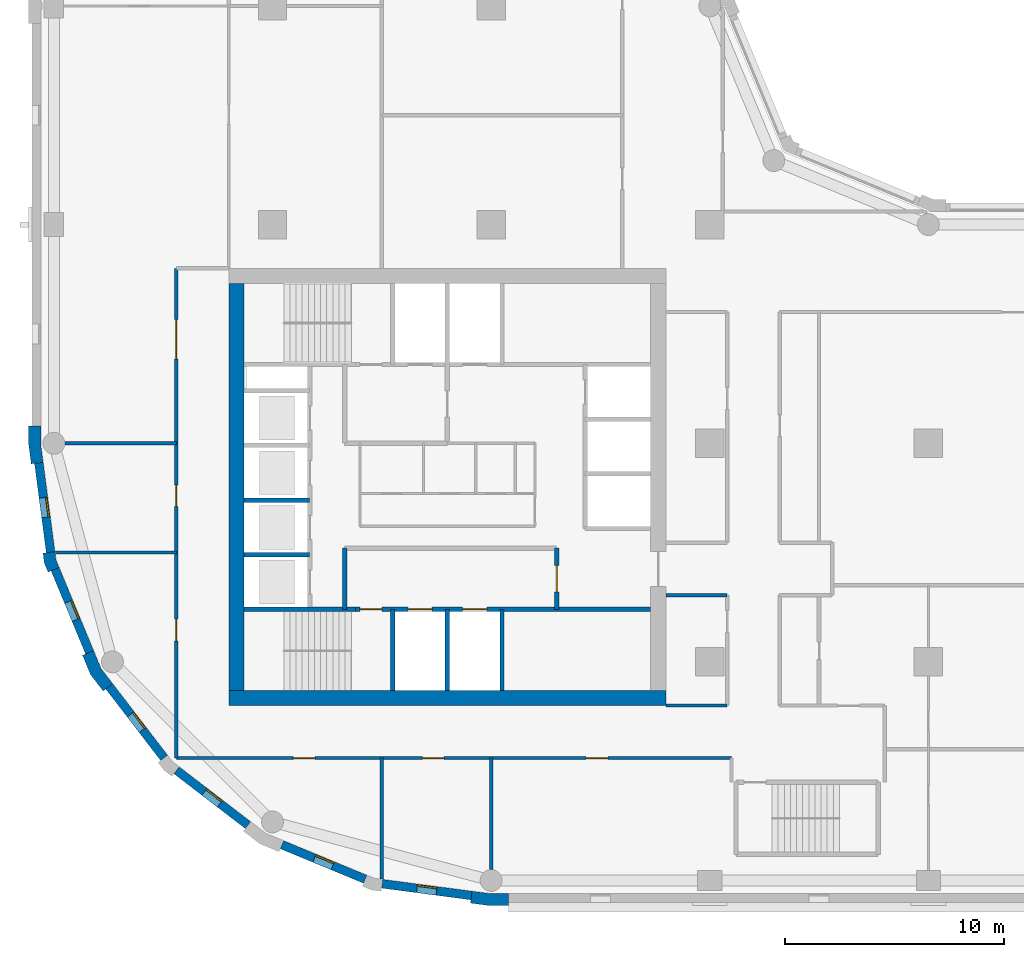
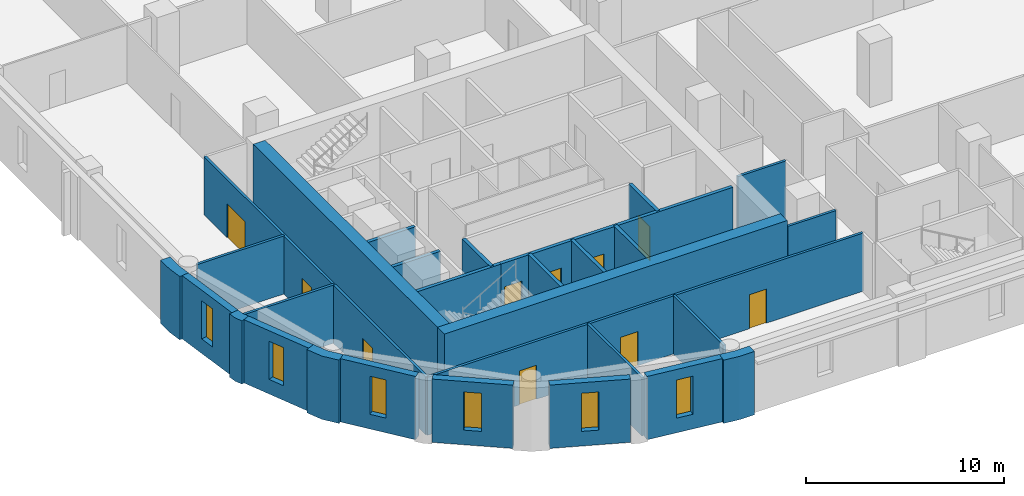
# One storey, part 2 of 10: 29 walls, 10 doors, 6 windows, 16 openings.
"""IFC4 building model written with IfcOpenShell, lengths in metres."""

import ifcopenshell
import ifcopenshell.guid

model = None  # the IFC model being written
_history = None  # IfcOwnerHistory: only IFC2X3 demands one
_inside = {}  # id of a spatial element -> (the spatial element, [elements in it])
_under = {}  # id of a project, library or spatial element -> (it, [spatial elements below it])
_declared = {}  # id of a project -> (the project, [libraries it declares])
_typed = {}  # id of a type object -> (the type object, [elements of that type])
_made_of = {}  # id of a material, layer set ... -> (it, [elements and type objects made of it])


def new_model(schema):
    """Start an empty IFC model of exactly this schema.

    Asked for "IFC4X3", IfcOpenShell would pick the latest addendum, in which some entities
    have other attributes; the version numbers below select the first issue.
    IFC2X3 requires an IfcOwnerHistory on every rooted entity: one is made here for all.
    """
    global model, _history
    if schema == "IFC4X3":
        model = ifcopenshell.file(schema_version=(4, 3, 0, 0))
    else:
        model = ifcopenshell.file(schema=schema)
    _inside.clear()
    _under.clear()
    _declared.clear()
    _typed.clear()
    _made_of.clear()
    _history = None
    if model.schema == "IFC2X3":
        org = make("IfcOrganization", Name="unknown")
        user = make(
            "IfcPersonAndOrganization",
            ThePerson=make("IfcPerson", FamilyName="unknown"),
            TheOrganization=org,
        )
        app = make(
            "IfcApplication",
            ApplicationDeveloper=org,
            Version="unknown",
            ApplicationFullName="unknown",
            ApplicationIdentifier="unknown",
        )
        _history = make(
            "IfcOwnerHistory",
            OwningUser=user,
            OwningApplication=app,
            ChangeAction="ADDED",
            CreationDate=0,
        )
    return model


def make(cls, **values):
    """One entity of the class cls with the attributes given. An attribute that is None is left unset."""
    return model.create_entity(
        cls, **{name: value for name, value in values.items() if value is not None}
    )


def rooted(cls, **values):
    """An entity with a GlobalId (a new one), such as an element, a storey or a relation."""
    return make(cls, GlobalId=ifcopenshell.guid.new(), OwnerHistory=_history, **values)


def si_unit(unit_type, name, prefix=None):
    """IfcSIUnit, for example si_unit("LENGTHUNIT", "METRE", prefix="MILLI")."""
    return make("IfcSIUnit", UnitType=unit_type, Prefix=prefix, Name=name)


def assignment(units):
    """IfcUnitAssignment: the units of a project."""
    return None if units is None else make("IfcUnitAssignment", Units=units)


def point(xyz):
    """IfcCartesianPoint."""
    return None if xyz is None else make("IfcCartesianPoint", Coordinates=xyz)


def direction(xyz):
    """IfcDirection."""
    return None if xyz is None else make("IfcDirection", DirectionRatios=xyz)


def frame(location, z_axis=None, x_axis=None):
    """IfcAxis2Placement3D, a coordinate frame: its origin and axes. An axis left out is left unset."""
    return make(
        "IfcAxis2Placement3D",
        Location=point(location),
        Axis=direction(z_axis),
        RefDirection=direction(x_axis),
    )


def frame_2d(location, x_axis=None):
    """IfcAxis2Placement2D, a coordinate frame in the plane: its origin and x axis."""
    return make(
        "IfcAxis2Placement2D", Location=point(location), RefDirection=direction(x_axis)
    )


def origin():
    """The frame at (0, 0, 0) with its axes left unset."""
    return frame((0.0, 0.0, 0.0))


def place(relative_to, where):
    """IfcLocalPlacement: puts the frame where relative to a parent placement (None: the world)."""
    return make(
        "IfcLocalPlacement", PlacementRelTo=relative_to, RelativePlacement=where
    )


def context(
    kind, dimensions, precision=None, world=None, true_north=None, identifier=None
):
    """IfcGeometricRepresentationContext, for example the 3D "Model" context."""
    return make(
        "IfcGeometricRepresentationContext",
        ContextIdentifier=identifier,
        ContextType=kind,
        CoordinateSpaceDimension=dimensions,
        Precision=precision,
        WorldCoordinateSystem=world,
        TrueNorth=true_north,
    )


def subcontext(parent, identifier, kind, view, scale=None):
    """IfcGeometricRepresentationSubContext, for example "Body" below "Model"."""
    return make(
        "IfcGeometricRepresentationSubContext",
        ContextIdentifier=identifier,
        ContextType=kind,
        ParentContext=parent,
        TargetScale=scale,
        TargetView=view,
    )


def project(units=None, contexts=None):
    """IfcProject with its units and contexts."""
    return rooted(
        "IfcProject",
        Name="project",
        RepresentationContexts=contexts,
        UnitsInContext=assignment(units),
    )


def spatial(cls, under=None, at=None, **own):
    """A site, building, storey or space (cls), placed at a placement, below another one or the project."""
    s = rooted(cls, ObjectPlacement=at, **own)
    if under is not None:
        _under.setdefault(under.id(), (under, []))[1].append(s)
    return s


def polyline(points):
    """IfcPolyline through the points."""
    return make("IfcPolyline", Points=[point(p) for p in points])


def profile(cls, at=None, kind="AREA", **sizes):
    """A parametric profile (cls). Its sizes go by their IFC names, for example OverallWidth=200.0."""
    return make(cls, ProfileType=kind, Position=at, **sizes)


def rectangle(**sizes):
    """IfcRectangleProfileDef."""
    return profile("IfcRectangleProfileDef", **sizes)


def outline(outer, holes=None, kind="AREA"):
    """IfcArbitraryClosedProfileDef: a profile drawn as a closed curve; with holes, ...WithVoids."""
    if holes is None:
        return make("IfcArbitraryClosedProfileDef", ProfileType=kind, OuterCurve=outer)
    return make(
        "IfcArbitraryProfileDefWithVoids",
        ProfileType=kind,
        OuterCurve=outer,
        InnerCurves=holes,
    )


def extrude(swept, where, along, depth):
    """IfcExtrudedAreaSolid: the profile swept, set in the frame where, extruded along a direction by depth."""
    return make(
        "IfcExtrudedAreaSolid",
        SweptArea=swept,
        Position=where,
        ExtrudedDirection=direction(along),
        Depth=depth,
    )


def shape(context_of_items, identifier, shape_type, items):
    """IfcShapeRepresentation: the items that make up one representation, for example the "Body"."""
    return make(
        "IfcShapeRepresentation",
        ContextOfItems=context_of_items,
        RepresentationIdentifier=identifier,
        RepresentationType=shape_type,
        Items=items,
    )


def material(Name=None, Category=None):
    """IfcMaterial."""
    return make("IfcMaterial", Name=Name, Category=Category)


def layer(
    of_material, thickness, ventilated=None, Name=None, Category=None, Priority=None
):
    """IfcMaterialLayer: one layer of a wall or slab, of a material (None: an air gap)."""
    return make(
        "IfcMaterialLayer",
        Material=of_material,
        LayerThickness=thickness,
        IsVentilated=ventilated,
        Name=Name,
        Category=Category,
        Priority=Priority,
    )


def layer_set(layers, Name=None):
    """IfcMaterialLayerSet."""
    return make("IfcMaterialLayerSet", MaterialLayers=layers, LayerSetName=Name)


def made_of(thing, what):
    """Note that an element or type object is made of a material, layer set ...; save() writes the relation."""
    if what is not None:
        _made_of.setdefault(what.id(), (what, []))[1].append(thing)
    return thing


def type_object(cls, material=None, **own):
    """A type object (cls), such as IfcWallType, which elements share."""
    return made_of(rooted(cls, **own), material)


def element(
    cls,
    number,
    at=None,
    inside=None,
    cuts=None,
    type_object=None,
    material=None,
    context=None,
    identifier="Body",
    shape_type=None,
    held_by="IfcProductDefinitionShape",
    body=None,
    shapes=None,
    **own,
):
    """One element of the class cls, such as IfcWall. Its Tag is "e" and its number.

    at: its placement. inside: the storey or other place that contains it. cuts: it is an
    opening in that element (IfcRelVoidsElement). A single representation is given by context,
    identifier, shape_type and body (its items); several are given by shapes. held_by: the class
    of the entity that holds the representations. save() writes the other relations.
    """
    e = rooted(cls, Tag="e%d" % number, ObjectPlacement=at, **own)
    if body is not None:
        shapes = [shape(context, identifier, shape_type, body)]
    if shapes is not None:
        e.Representation = make(held_by, Representations=shapes)
    if inside is not None:
        _inside.setdefault(inside.id(), (inside, []))[1].append(e)
    if cuts is not None:
        rooted(
            "IfcRelVoidsElement", RelatingBuildingElement=cuts, RelatedOpeningElement=e
        )
    if type_object is not None:
        _typed.setdefault(type_object.id(), (type_object, []))[1].append(e)
    return made_of(e, material)


def fill(opening, filler):
    """IfcRelFillsElement: the door or window that sits in an opening."""
    return rooted(
        "IfcRelFillsElement",
        RelatingOpeningElement=opening,
        RelatedBuildingElement=filler,
    )


def aggregate(whole, parts):
    """IfcRelAggregates: a whole, such as a stair, and the parts it consists of."""
    return rooted("IfcRelAggregates", RelatingObject=whole, RelatedObjects=parts)


def save(model, path):
    """Write the relations noted so far, then the file.

    IfcRelAggregates (storeys below a building ...), IfcRelContainedInSpatialStructure (elements
    in a storey), IfcRelDefinesByType, IfcRelAssociatesMaterial and IfcRelDeclares: one each for
    every whole, place, type object, material and project.
    """
    for whole, parts in _under.values():
        aggregate(whole, parts)
    for where, things in _inside.values():
        rooted(
            "IfcRelContainedInSpatialStructure",
            RelatedElements=things,
            RelatingStructure=where,
        )
    for kind, things in _typed.values():
        rooted("IfcRelDefinesByType", RelatedObjects=things, RelatingType=kind)
    for what, things in _made_of.values():
        rooted("IfcRelAssociatesMaterial", RelatedObjects=things, RelatingMaterial=what)
    for by, libraries in _declared.values():
        rooted("IfcRelDeclares", RelatingContext=by, RelatedDefinitions=libraries)
    model.write(path)


model = new_model("IFC4")

# Units and contexts
model_context = context("Model", 3, precision=1e-05, world=origin(), true_north=direction((0.0, 1.0)))
body_context = subcontext(model_context, "Body", "Model", "MODEL_VIEW")
ifc_project = project(units=[si_unit("LENGTHUNIT", "METRE"), si_unit("AREAUNIT", "SQUARE_METRE"), si_unit("VOLUMEUNIT", "CUBIC_METRE"), si_unit("PLANEANGLEUNIT", "RADIAN"), si_unit("MASSUNIT", "GRAM", prefix="KILO")], contexts=[model_context])

# Site, building, storey
site_placement = place(None, origin())
site = spatial("IfcSite", under=ifc_project, at=site_placement, CompositionType="ELEMENT")
building_placement = place(site_placement, origin())
building = spatial("IfcBuilding", under=site, at=building_placement, Name="Qaws Garden Tower", CompositionType="ELEMENT")
storey_placement = place(building_placement, frame((0.0, 0.0, 205.800048828125)))
storey = spatial("IfcBuildingStorey", under=building, at=storey_placement, Name="L50", CompositionType="ELEMENT", Elevation=205.800048828125)

# Wall, opening, window
ifc_material_1 = material(Name="Buff clay facing brick masonry", Category="masonry")
ifc_layer_1 = layer(ifc_material_1, 0.39990234375)
ifc_layer_set_1 = layer_set([ifc_layer_1], Name="Buff clay facing brick masonry")
wall_type_1 = type_object("IfcWallType", Name="Buff brick infill wall 400", PredefinedType="SOLIDWALL", material=ifc_layer_set_1)
wall_1_placement = place(storey_placement, frame((-0.688720703125, 19.102294921875, 0.0), z_axis=(0.0, 0.0, 1.0), x_axis=(0.130514280502, -0.991446429508, 0.0)))
wall_1 = element("IfcWall", 1, at=wall_1_placement, inside=storey, type_object=wall_type_1, Name="E-L50-infill-25", PredefinedType="SOLIDWALL", context=body_context, shape_type="SweptSolid", body=[
    extrude(rectangle(XDim=4.120849609375, YDim=0.39990234375, at=frame_2d((2.060546875, 0.0))), origin(), (0.0, 0.0, 1.0), 3.89990234375),
])
opening_1_placement = place(wall_1_placement, frame((1.610595703125, 0.0, 0.89990234375)))
opening_1 = element("IfcOpeningElement", 2, at=opening_1_placement, cuts=wall_1, Name="Opening W09", PredefinedType="OPENING", context=body_context, shape_type="SweptSolid", body=[
    extrude(rectangle(XDim=0.89990234375, YDim=2.35009765625, at=frame_2d((0.449951171875, 1.175048828125))), frame((0.0, 0.2099609375, 0.0), z_axis=(0.0, -1.0, 0.0), x_axis=(1.0, 0.0, 0.0)), (0.0, 0.0, 1.0), 0.419921875),
])
ifc_material_2 = material(Name="Aluminium framed window, clear glazing", Category="aluminium")
window_type = type_object("IfcWindowType", Name="Slit window 900 x 2350", PartitioningType="SINGLE_PANEL", PredefinedType="WINDOW", material=ifc_material_2)
window_1_placement = place(opening_1_placement, origin())
window_1 = element("IfcWindow", 3, at=window_1_placement, inside=storey, type_object=window_type, Name="E-L50-window-25-0", OverallHeight=2.35009765625, OverallWidth=0.89990234375, PartitioningType="SINGLE_PANEL", PredefinedType="WINDOW", context=body_context, shape_type="SweptSolid", body=[
    extrude(rectangle(XDim=0.89990234375, YDim=2.35009765625, at=frame_2d((0.449951171875, 1.175048828125))), frame((0.0, 0.159912109375, 0.0), z_axis=(0.0, -1.0, 0.0), x_axis=(1.0, 0.0, 0.0)), (0.0, 0.0, 1.0), 0.06005859375),
])
fill(opening_1, window_1)

wall_2_placement = place(storey_placement, frame((0.05712890625, 14.240234375, 0.0), z_axis=(0.0, 0.0, 1.0), x_axis=(0.382721546029, -0.923863744394, 0.0)))
wall_2 = element("IfcWall", 4, at=wall_2_placement, inside=storey, type_object=wall_type_1, Name="E-L50-infill-26", PredefinedType="SOLIDWALL", context=body_context, shape_type="SweptSolid", body=[
    extrude(rectangle(XDim=4.120849609375, YDim=0.39990234375, at=frame_2d((2.060546875, 0.0))), origin(), (0.0, 0.0, 1.0), 3.89990234375),
])
opening_2_placement = place(wall_2_placement, frame((1.610595703125, 0.0, 0.89990234375)))
opening_2 = element("IfcOpeningElement", 5, at=opening_2_placement, cuts=wall_2, Name="Opening W09", PredefinedType="OPENING", context=body_context, shape_type="SweptSolid", body=[
    extrude(rectangle(XDim=0.89990234375, YDim=2.35009765625, at=frame_2d((0.449951171875, 1.175048828125))), frame((0.0, 0.2099609375, 0.0), z_axis=(0.0, -1.0, 0.0), x_axis=(1.0, 0.0, 0.0)), (0.0, 0.0, 1.0), 0.419921875),
])
window_2_placement = place(opening_2_placement, origin())
window_2 = element("IfcWindow", 6, at=window_2_placement, inside=storey, type_object=window_type, Name="E-L50-window-26-0", OverallHeight=2.35009765625, OverallWidth=0.89990234375, PartitioningType="SINGLE_PANEL", PredefinedType="WINDOW", context=body_context, shape_type="SweptSolid", body=[
    extrude(rectangle(XDim=0.89990234375, YDim=2.35009765625, at=frame_2d((0.449951171875, 1.175048828125))), frame((0.0, 0.159912109375, 0.0), z_axis=(0.0, -1.0, 0.0), x_axis=(1.0, 0.0, 0.0)), (0.0, 0.0, 1.0), 0.06005859375),
])
fill(opening_2, window_2)

wall_3_placement = place(storey_placement, frame((2.53173828125, 8.87841796875, 0.0), z_axis=(0.0, 0.0, 1.0), x_axis=(0.608759824817, -0.793354571229, 0.0)))
wall_3 = element("IfcWall", 7, at=wall_3_placement, inside=storey, type_object=wall_type_1, Name="E-L50-infill-27", PredefinedType="SOLIDWALL", context=body_context, shape_type="SweptSolid", body=[
    extrude(rectangle(XDim=4.12109375, YDim=0.39990234375, at=frame_2d((2.060546875, 0.0))), origin(), (0.0, 0.0, 1.0), 3.89990234375),
])
opening_3_placement = place(wall_3_placement, frame((1.610595703125, 0.0, 0.89990234375)))
opening_3 = element("IfcOpeningElement", 8, at=opening_3_placement, cuts=wall_3, Name="Opening W09", PredefinedType="OPENING", context=body_context, shape_type="SweptSolid", body=[
    extrude(rectangle(XDim=0.89990234375, YDim=2.35009765625, at=frame_2d((0.449951171875, 1.175048828125))), frame((0.0, 0.2099609375, 0.0), z_axis=(0.0, -1.0, 0.0), x_axis=(1.0, 0.0, 0.0)), (0.0, 0.0, 1.0), 0.419921875),
])
window_3_placement = place(opening_3_placement, origin())
window_3 = element("IfcWindow", 9, at=window_3_placement, inside=storey, type_object=window_type, Name="E-L50-window-27-0", OverallHeight=2.35009765625, OverallWidth=0.89990234375, PartitioningType="SINGLE_PANEL", PredefinedType="WINDOW", context=body_context, shape_type="SweptSolid", body=[
    extrude(rectangle(XDim=0.89990234375, YDim=2.35009765625, at=frame_2d((0.449951171875, 1.175048828125))), frame((0.0, 0.159912109375, 0.0), z_axis=(0.0, -1.0, 0.0), x_axis=(1.0, 0.0, 0.0)), (0.0, 0.0, 1.0), 0.06005859375),
])
fill(opening_3, window_3)

wall_4_placement = place(storey_placement, frame((5.60888671875, 5.04052734375, 0.0), z_axis=(0.0, 0.0, 1.0), x_axis=(0.793354571229, -0.608759824817, 0.0)))
wall_4 = element("IfcWall", 10, at=wall_4_placement, inside=storey, type_object=wall_type_1, Name="E-L50-infill-28", PredefinedType="SOLIDWALL", context=body_context, shape_type="SweptSolid", body=[
    extrude(rectangle(XDim=4.12109375, YDim=0.39990234375, at=frame_2d((2.060546875, 0.0))), origin(), (0.0, 0.0, 1.0), 3.89990234375),
])
opening_4_placement = place(wall_4_placement, frame((1.610595703125, 0.0, 0.89990234375)))
opening_4 = element("IfcOpeningElement", 11, at=opening_4_placement, cuts=wall_4, Name="Opening W09", PredefinedType="OPENING", context=body_context, shape_type="SweptSolid", body=[
    extrude(rectangle(XDim=0.89990234375, YDim=2.35009765625, at=frame_2d((0.449951171875, 1.175048828125))), frame((0.0, 0.2099609375, 0.0), z_axis=(0.0, -1.0, 0.0), x_axis=(1.0, 0.0, 0.0)), (0.0, 0.0, 1.0), 0.419921875),
])
window_4_placement = place(opening_4_placement, origin())
window_4 = element("IfcWindow", 12, at=window_4_placement, inside=storey, type_object=window_type, Name="E-L50-window-28-0", OverallHeight=2.35009765625, OverallWidth=0.89990234375, PartitioningType="SINGLE_PANEL", PredefinedType="WINDOW", context=body_context, shape_type="SweptSolid", body=[
    extrude(rectangle(XDim=0.89990234375, YDim=2.35009765625, at=frame_2d((0.449951171875, 1.175048828125))), frame((0.0, 0.159912109375, 0.0), z_axis=(0.0, -1.0, 0.0), x_axis=(1.0, 0.0, 0.0)), (0.0, 0.0, 1.0), 0.06005859375),
])
fill(opening_4, window_4)

wall_5_placement = place(storey_placement, frame((10.43310546875, 1.63427734375, 0.0), z_axis=(0.0, 0.0, 1.0), x_axis=(0.923863744394, -0.382721546029, 0.0)))
wall_5 = element("IfcWall", 13, at=wall_5_placement, inside=storey, type_object=wall_type_1, Name="E-L50-infill-29", PredefinedType="SOLIDWALL", context=body_context, shape_type="SweptSolid", body=[
    extrude(rectangle(XDim=4.120849609375, YDim=0.39990234375, at=frame_2d((2.060546875, 0.0))), origin(), (0.0, 0.0, 1.0), 3.89990234375),
])
opening_5_placement = place(wall_5_placement, frame((1.610595703125, 0.0, 0.89990234375)))
opening_5 = element("IfcOpeningElement", 14, at=opening_5_placement, cuts=wall_5, Name="Opening W09", PredefinedType="OPENING", context=body_context, shape_type="SweptSolid", body=[
    extrude(rectangle(XDim=0.89990234375, YDim=2.35009765625, at=frame_2d((0.449951171875, 1.175048828125))), frame((0.0, 0.2099609375, 0.0), z_axis=(0.0, -1.0, 0.0), x_axis=(1.0, 0.0, 0.0)), (0.0, 0.0, 1.0), 0.419921875),
])
window_5_placement = place(opening_5_placement, origin())
window_5 = element("IfcWindow", 15, at=window_5_placement, inside=storey, type_object=window_type, Name="E-L50-window-29-0", OverallHeight=2.35009765625, OverallWidth=0.89990234375, PartitioningType="SINGLE_PANEL", PredefinedType="WINDOW", context=body_context, shape_type="SweptSolid", body=[
    extrude(rectangle(XDim=0.89990234375, YDim=2.35009765625, at=frame_2d((0.449951171875, 1.175048828125))), frame((0.0, 0.159912109375, 0.0), z_axis=(0.0, -1.0, 0.0), x_axis=(1.0, 0.0, 0.0)), (0.0, 0.0, 1.0), 0.06005859375),
])
fill(opening_5, window_5)

wall_6_placement = place(storey_placement, frame((15.0166015625, -0.15087890625, 0.0), z_axis=(0.0, 0.0, 1.0), x_axis=(0.991446429508, -0.130514280502, 0.0)))
wall_6 = element("IfcWall", 16, at=wall_6_placement, inside=storey, type_object=wall_type_1, Name="E-L50-infill-30", PredefinedType="SOLIDWALL", context=body_context, shape_type="SweptSolid", body=[
    extrude(rectangle(XDim=4.120849609375, YDim=0.39990234375, at=frame_2d((2.060546875, 0.0))), origin(), (0.0, 0.0, 1.0), 3.89990234375),
])
opening_6_placement = place(wall_6_placement, frame((1.610595703125, 0.0, 0.89990234375)))
opening_6 = element("IfcOpeningElement", 17, at=opening_6_placement, cuts=wall_6, Name="Opening W09", PredefinedType="OPENING", context=body_context, shape_type="SweptSolid", body=[
    extrude(rectangle(XDim=0.89990234375, YDim=2.35009765625, at=frame_2d((0.449951171875, 1.175048828125))), frame((0.0, 0.2099609375, 0.0), z_axis=(0.0, -1.0, 0.0), x_axis=(1.0, 0.0, 0.0)), (0.0, 0.0, 1.0), 0.419921875),
])
window_6_placement = place(opening_6_placement, origin())
window_6 = element("IfcWindow", 18, at=window_6_placement, inside=storey, type_object=window_type, Name="E-L50-window-30-0", OverallHeight=2.35009765625, OverallWidth=0.89990234375, PartitioningType="SINGLE_PANEL", PredefinedType="WINDOW", context=body_context, shape_type="SweptSolid", body=[
    extrude(rectangle(XDim=0.89990234375, YDim=2.35009765625, at=frame_2d((0.449951171875, 1.175048828125))), frame((0.0, 0.159912109375, 0.0), z_axis=(0.0, -1.0, 0.0), x_axis=(1.0, 0.0, 0.0)), (0.0, 0.0, 1.0), 0.06005859375),
])
fill(opening_6, window_6)

# Walls
ifc_material_3 = material(Name="Buff clay facing brick masonry", Category="masonry")
ifc_layer_2 = layer(ifc_material_3, 0.550048828125)
ifc_layer_set_2 = layer_set([ifc_layer_2], Name="Buff clay facing brick masonry")
wall_type_2 = type_object("IfcWallType", Name="Buff brick kink pier 550 x 600", PredefinedType="SOLIDWALL", material=ifc_layer_set_2)
placement = place(storey_placement, origin())
element("IfcWall", 19, at=placement, inside=storey, type_object=wall_type_2, Name="E-L50-pier-26", PredefinedType="SOLIDWALL", context=body_context, shape_type="SweptSolid", body=[
    extrude(outline(polyline([(-0.34912109375, 14.990478515625), (-0.497802734375, 14.970947265625), (-0.43896484375, 14.5234375), (-0.26611328125, 14.1064453125), (-0.127685546875, 14.163818359375), (0.241943359375, 14.31689453125), (0.096923828125, 14.6669921875), (0.04736328125, 15.042724609375), (-0.34912109375, 14.990478515625)])), origin(), (0.0, 0.0, 1.0), 3.89990234375),
])
ifc_material_4 = material(Name="Buff clay facing brick masonry", Category="masonry")
ifc_layer_3 = layer(ifc_material_4, 0.550048828125)
ifc_layer_set_3 = layer_set([ifc_layer_3], Name="Buff clay facing brick masonry")
wall_type_3 = type_object("IfcWallType", Name="Buff brick pier 550 x 1600", PredefinedType="SOLIDWALL", material=ifc_layer_set_3)
element("IfcWall", 20, at=placement, inside=storey, type_object=wall_type_3, Name="E-L50-pier-00", PredefinedType="SOLIDWALL", context=body_context, shape_type="SweptSolid", body=[
    extrude(outline(polyline([(19.076416015625, -0.886962890625), (19.056640625, -1.03564453125), (19.924560546875, -1.14990234375), (20.800048828125, -1.14990234375), (20.800048828125, -1.0), (20.800048828125, -0.60009765625), (19.960693359375, -0.60009765625), (19.12841796875, -0.490478515625), (19.076416015625, -0.886962890625)])), origin(), (0.0, 0.0, 1.0), 3.89990234375),
])
element("IfcWall", 21, at=placement, inside=storey, type_object=wall_type_3, Name="E-L50-pier-25", PredefinedType="SOLIDWALL", context=body_context, shape_type="SweptSolid", body=[
    extrude(outline(polyline([(-1.0, 20.800048828125), (-1.14990234375, 20.800048828125), (-1.14990234375, 19.924560546875), (-1.03564453125, 19.056640625), (-0.886962890625, 19.076416015625), (-0.490478515625, 19.12841796875), (-0.60009765625, 19.960693359375), (-0.60009765625, 20.800048828125), (-1.0, 20.800048828125)])), origin(), (0.0, 0.0, 1.0), 3.89990234375),
])
element("IfcWall", 22, at=placement, inside=storey, type_object=wall_type_3, Name="E-L50-pier-27", PredefinedType="SOLIDWALL", context=body_context, shape_type="SweptSolid", body=[
    extrude(outline(polyline([(1.449462890625, 10.3564453125), (1.310791015625, 10.299072265625), (1.675048828125, 9.419921875), (2.254150390625, 8.665283203125), (2.373046875, 8.756591796875), (2.6904296875, 9.0), (2.1552734375, 9.697509765625), (1.819091796875, 10.509521484375), (1.449462890625, 10.3564453125)])), origin(), (0.0, 0.0, 1.0), 3.89990234375),
])
ifc_material_5 = material(Name="Concrete C70", Category="concrete")
ifc_layer_4 = layer(ifc_material_5, 0.199951171875)
ifc_layer_set_4 = layer_set([ifc_layer_4], Name="Concrete C70")
wall_type_4 = type_object("IfcWallType", Name="Core shaft wall 200 C70", PredefinedType="SHEAR", material=ifc_layer_set_4)
wall_11_placement = place(storey_placement, frame((8.699951171875, 12.39990234375, 0.0), z_axis=(0.0, 0.0, 1.0), x_axis=(1.0, 0.0, 0.0)))
element("IfcWall", 23, at=wall_11_placement, inside=storey, type_object=wall_type_4, Name="Shaft wall", PredefinedType="SHEAR", context=body_context, shape_type="SweptSolid", body=[
    extrude(rectangle(XDim=5.10009765625, YDim=0.199951171875, at=frame_2d((2.550048828125, 0.0))), origin(), (0.0, 0.0, 1.0), 3.579833984375),
])

# Wall, openings, doors
wall_12_placement = place(storey_placement, frame((13.800048828125, 12.39990234375, 0.0), z_axis=(0.0, 0.0, 1.0), x_axis=(1.0, 0.0, 0.0)))
wall_12 = element("IfcWall", 24, at=wall_12_placement, inside=storey, type_object=wall_type_4, Name="Shaft wall", PredefinedType="SHEAR", context=body_context, shape_type="SweptSolid", body=[
    extrude(rectangle(XDim=13.5, YDim=0.199951171875, at=frame_2d((6.75, 0.0))), origin(), (0.0, 0.0, 1.0), 3.579833984375),
])
opening_7_placement = place(wall_12_placement, frame((2.39990234375, 0.0, 0.0)))
opening_7 = element("IfcOpeningElement", 25, at=opening_7_placement, cuts=wall_12, Name="Opening LD06", PredefinedType="OPENING", context=body_context, shape_type="SweptSolid", body=[
    extrude(rectangle(XDim=1.10009765625, YDim=2.10009765625, at=frame_2d((0.550048828125, 1.050048828125))), frame((0.0, 0.10986328125, 0.0), z_axis=(0.0, -1.0, 0.0), x_axis=(1.0, 0.0, 0.0)), (0.0, 0.0, 1.0), 0.219970703125),
])
opening_8_placement = place(wall_12_placement, frame((4.89990234375, 0.0, 0.0)))
opening_8 = element("IfcOpeningElement", 26, at=opening_8_placement, cuts=wall_12, Name="Opening LD07", PredefinedType="OPENING", context=body_context, shape_type="SweptSolid", body=[
    extrude(rectangle(XDim=1.10009765625, YDim=2.10009765625, at=frame_2d((0.550048828125, 1.050048828125))), frame((0.0, 0.10986328125, 0.0), z_axis=(0.0, -1.0, 0.0), x_axis=(1.0, 0.0, 0.0)), (0.0, 0.0, 1.0), 0.219970703125),
])
opening_9_placement = place(wall_12_placement, frame((0.199951171875, 0.0, 0.0)))
opening_9 = element("IfcOpeningElement", 27, at=opening_9_placement, cuts=wall_12, Name="Opening SD10", PredefinedType="OPENING", context=body_context, shape_type="SweptSolid", body=[
    extrude(rectangle(XDim=1.0, YDim=2.10009765625, at=frame_2d((0.5, 1.050048828125))), frame((0.0, 0.10986328125, 0.0), z_axis=(0.0, -1.0, 0.0), x_axis=(1.0, 0.0, 0.0)), (0.0, 0.0, 1.0), 0.219970703125),
])
ifc_material_6 = material(Name="Steel S235", Category="steel")
door_type_1 = type_object("IfcDoorType", Name="Landing door 1100x2100", OperationType="DOUBLE_DOOR_SLIDING", PredefinedType="DOOR", material=ifc_material_6)
door_1_placement = place(opening_7_placement, origin())
door_1 = element("IfcDoor", 28, at=door_1_placement, inside=storey, type_object=door_type_1, Name="Lift FF1 landing door", OperationType="DOUBLE_DOOR_SLIDING", OverallHeight=2.10009765625, OverallWidth=1.10009765625, PredefinedType="DOOR", context=body_context, shape_type="SweptSolid", body=[
    extrude(rectangle(XDim=1.10009765625, YDim=2.10009765625, at=frame_2d((0.550048828125, 1.050048828125))), frame((0.0, 0.02490234375, 0.0), z_axis=(0.0, -1.0, 0.0), x_axis=(1.0, 0.0, 0.0)), (0.0, 0.0, 1.0), 0.050048828125),
])
fill(opening_7, door_1)
door_2_placement = place(opening_8_placement, origin())
door_2 = element("IfcDoor", 29, at=door_2_placement, inside=storey, type_object=door_type_1, Name="Lift FF2 landing door", OperationType="DOUBLE_DOOR_SLIDING", OverallHeight=2.10009765625, OverallWidth=1.10009765625, PredefinedType="DOOR", context=body_context, shape_type="SweptSolid", body=[
    extrude(rectangle(XDim=1.10009765625, YDim=2.10009765625, at=frame_2d((0.550048828125, 1.050048828125))), frame((0.0, 0.02490234375, 0.0), z_axis=(0.0, -1.0, 0.0), x_axis=(1.0, 0.0, 0.0)), (0.0, 0.0, 1.0), 0.050048828125),
])
fill(opening_8, door_2)
ifc_material_7 = material(Name="Steel S235", Category="steel")
door_type_2 = type_object("IfcDoorType", Name="Stair door 1000x2100", OperationType="SINGLE_SWING_RIGHT", PredefinedType="DOOR", material=ifc_material_7)
door_3_placement = place(opening_9_placement, frame((1.0, 0.0, 0.0), z_axis=(0.0, 0.0, 1.0), x_axis=(-1.0, 0.0, 0.0)))
door_3 = element("IfcDoor", 30, at=door_3_placement, inside=storey, type_object=door_type_2, Name="Stair 1 door", OperationType="SINGLE_SWING_LEFT", OverallHeight=2.10009765625, OverallWidth=1.0, PredefinedType="DOOR", context=body_context, shape_type="SweptSolid", body=[
    extrude(rectangle(XDim=1.0, YDim=2.10009765625, at=frame_2d((0.5, 1.050048828125))), frame((0.0, 0.02490234375, 0.0), z_axis=(0.0, -1.0, 0.0), x_axis=(1.0, 0.0, 0.0)), (0.0, 0.0, 1.0), 0.050048828125),
])
fill(opening_9, door_3)

# Walls
for number, where, z_axis, x_axis, name in (
    (31, (8.699951171875, 14.89990234375, 0.0), (0.0, 0.0, 1.0), (1.0, 0.0, 0.0), "Shaft wall"),
    (32, (8.699951171875, 17.39990234375, 0.0), (0.0, 0.0, 1.0), (1.0, 0.0, 0.0), "Shaft wall"),
):
    element("IfcWall", number, at=place(storey_placement, frame(where, z_axis=z_axis, x_axis=x_axis)), inside=storey, type_object=wall_type_4, Name=name, PredefinedType="SHEAR", context=body_context, shape_type="SweptSolid", body=[
        extrude(rectangle(XDim=3.0, YDim=0.199951171875, at=frame_2d((1.5, 0.0))), origin(), (0.0, 0.0, 1.0), 3.579833984375),
    ])
wall_13_placement = place(storey_placement, frame((13.300048828125, 12.39990234375, 0.0), z_axis=(0.0, 0.0, 1.0), x_axis=(0.0, 1.0, 0.0)))
element("IfcWall", 33, at=wall_13_placement, inside=storey, type_object=wall_type_4, Name="Shaft wall", PredefinedType="SHEAR", context=body_context, shape_type="SweptSolid", body=[
    extrude(rectangle(XDim=2.800048828125, YDim=0.199951171875, at=frame_2d((1.39990234375, 0.0))), origin(), (0.0, 0.0, 1.0), 3.579833984375),
])
for number, where, z_axis, x_axis, name in (
    (34, (15.5, 8.699951171875, 0.0), (0.0, 0.0, 1.0), (0.0, 1.0, 0.0), "Shaft wall"),
    (35, (18.0, 8.699951171875, 0.0), (0.0, 0.0, 1.0), (0.0, 1.0, 0.0), "Shaft wall"),
    (36, (20.5, 8.699951171875, 0.0), (0.0, 0.0, 1.0), (0.0, 1.0, 0.0), "Shaft wall"),
):
    element("IfcWall", number, at=place(storey_placement, frame(where, z_axis=z_axis, x_axis=x_axis)), inside=storey, type_object=wall_type_4, Name=name, PredefinedType="SHEAR", context=body_context, shape_type="SweptSolid", body=[
        extrude(rectangle(XDim=3.699951171875, YDim=0.199951171875, at=frame_2d((1.85009765625, 0.0))), origin(), (0.0, 0.0, 1.0), 3.579833984375),
    ])

# Wall, opening, door
wall_14_placement = place(storey_placement, frame((23.0, 12.39990234375, 0.0), z_axis=(0.0, 0.0, 1.0), x_axis=(0.0, 1.0, 0.0)))
wall_14 = element("IfcWall", 37, at=wall_14_placement, inside=storey, type_object=wall_type_4, Name="Shaft wall", PredefinedType="SHEAR", context=body_context, shape_type="SweptSolid", body=[
    extrude(rectangle(XDim=2.800048828125, YDim=0.199951171875, at=frame_2d((1.39990234375, 0.0))), origin(), (0.0, 0.0, 1.0), 3.579833984375),
])
opening_10_placement = place(wall_14_placement, frame((0.800048828125, 0.0, 0.0)))
opening_10 = element("IfcOpeningElement", 38, at=opening_10_placement, cuts=wall_14, Name="Opening FD15", PredefinedType="OPENING", context=body_context, shape_type="SweptSolid", body=[
    extrude(rectangle(XDim=1.199951171875, YDim=2.10009765625, at=frame_2d((0.60009765625, 1.050048828125))), frame((0.0, 0.10986328125, 0.0), z_axis=(0.0, -1.0, 0.0), x_axis=(1.0, 0.0, 0.0)), (0.0, 0.0, 1.0), 0.219970703125),
])
ifc_material_8 = material(Name="Steel S235", Category="steel")
door_type_3 = type_object("IfcDoorType", Name="Lobby door 1200x2100", OperationType="DOUBLE_DOOR_SINGLE_SWING", PredefinedType="DOOR", material=ifc_material_8)
door_4_placement = place(opening_10_placement, origin())
door_4 = element("IfcDoor", 39, at=door_4_placement, inside=storey, type_object=door_type_3, Name="Fire-fighting lobby door", OperationType="DOUBLE_DOOR_SINGLE_SWING", OverallHeight=2.10009765625, OverallWidth=1.199951171875, PredefinedType="DOOR", context=body_context, shape_type="SweptSolid", body=[
    extrude(rectangle(XDim=1.199951171875, YDim=2.10009765625, at=frame_2d((0.60009765625, 1.050048828125))), frame((0.0, 0.02490234375, 0.0), z_axis=(0.0, -1.0, 0.0), x_axis=(1.0, 0.0, 0.0)), (0.0, 0.0, 1.0), 0.050048828125),
])
fill(opening_10, door_4)

# Walls
ifc_material_9 = material(Name="Concrete C70", Category="concrete")
ifc_layer_5 = layer(ifc_material_9, 0.699951171875)
ifc_layer_set_5 = layer_set([ifc_layer_5], Name="Concrete C70")
wall_type_5 = type_object("IfcWallType", Name="Core wall 700 C70", PredefinedType="SHEAR", material=ifc_layer_set_5)
wall_15_placement = place(storey_placement, frame((8.0, 8.35009765625, 0.0), z_axis=(0.0, 0.0, 1.0), x_axis=(1.0, 0.0, 0.0)))
element("IfcWall", 40, at=wall_15_placement, inside=storey, type_object=wall_type_5, Name="Core wall L50 south", PredefinedType="SHEAR", context=body_context, shape_type="SweptSolid", body=[
    extrude(rectangle(XDim=20.0, YDim=0.699951171875, at=frame_2d((10.0, 0.0))), origin(), (0.0, 0.0, 1.0), 3.89990234375),
])
wall_16_placement = place(storey_placement, frame((8.35009765625, 27.300048828125, 0.0), z_axis=(0.0, 0.0, 1.0), x_axis=(0.0, -1.0, 0.0)))
element("IfcWall", 41, at=wall_16_placement, inside=storey, type_object=wall_type_5, Name="Core wall L50 west", PredefinedType="SHEAR", context=body_context, shape_type="SweptSolid", body=[
    extrude(rectangle(XDim=18.60009765625, YDim=0.699951171875, at=frame_2d((9.300048828125, 0.0))), origin(), (0.0, 0.0, 1.0), 3.89990234375),
])

# Wall, openings, doors
ifc_material_10 = material(Name="Gypsum board partition")
ifc_layer_6 = layer(ifc_material_10, 0.14990234375)
ifc_layer_set_6 = layer_set([ifc_layer_6], Name="Gypsum board partition")
wall_type_6 = type_object("IfcWallType", Name="PARTITION 150 EI 60", PredefinedType="PARTITIONING", material=ifc_layer_set_6)
wall_17_placement = place(storey_placement, frame((5.60009765625, 5.60009765625, 0.0), z_axis=(0.0, 0.0, 1.0), x_axis=(0.0, 1.0, 0.0)))
wall_17 = element("IfcWall", 42, at=wall_17_placement, inside=storey, type_object=wall_type_6, Name="O-L50-wall-010", PredefinedType="PARTITIONING", context=body_context, shape_type="SweptSolid", body=[
    extrude(rectangle(XDim=22.39990234375, YDim=0.14990234375, at=frame_2d((11.199951171875, 0.0))), origin(), (0.0, 0.0, 1.0), 3.579833984375),
])
opening_11_placement = place(wall_17_placement, frame((5.35009765625, 0.0, 0.0)))
opening_11 = element("IfcOpeningElement", 43, at=opening_11_placement, cuts=wall_17, Name="Opening B701", PredefinedType="OPENING", context=body_context, shape_type="SweptSolid", body=[
    extrude(rectangle(XDim=1.0, YDim=2.10009765625, at=frame_2d((0.5, 1.050048828125))), frame((0.0, 0.0849609375, 0.0), z_axis=(0.0, -1.0, 0.0), x_axis=(1.0, 0.0, 0.0)), (0.0, 0.0, 1.0), 0.169921875),
])
opening_12_placement = place(wall_17_placement, frame((11.5, 0.0, 0.0)))
opening_12 = element("IfcOpeningElement", 44, at=opening_12_placement, cuts=wall_17, Name="Opening B702", PredefinedType="OPENING", context=body_context, shape_type="SweptSolid", body=[
    extrude(rectangle(XDim=1.0, YDim=2.10009765625, at=frame_2d((0.5, 1.050048828125))), frame((0.0, 0.0849609375, 0.0), z_axis=(0.0, -1.0, 0.0), x_axis=(1.0, 0.0, 0.0)), (0.0, 0.0, 1.0), 0.169921875),
])
opening_13_placement = place(wall_17_placement, frame((18.25, 0.0, 0.0)))
opening_13 = element("IfcOpeningElement", 45, at=opening_13_placement, cuts=wall_17, Name="Opening B711", PredefinedType="OPENING", context=body_context, shape_type="SweptSolid", body=[
    extrude(rectangle(XDim=1.800048828125, YDim=2.10009765625, at=frame_2d((0.89990234375, 1.050048828125))), frame((0.0, 0.0849609375, 0.0), z_axis=(0.0, -1.0, 0.0), x_axis=(1.0, 0.0, 0.0)), (0.0, 0.0, 1.0), 0.169921875),
])
ifc_material_11 = material(Name="Timber door leaf", Category="wood")
door_type_4 = type_object("IfcDoorType", Name="DOUBLE DOOR 1800 X 2100", OperationType="DOUBLE_DOOR_SINGLE_SWING", PredefinedType="DOOR", material=ifc_material_11)
door_5_placement = place(opening_13_placement, origin())
door_5 = element("IfcDoor", 46, at=door_5_placement, inside=storey, type_object=door_type_4, Name="O-L50-door-011", OperationType="DOUBLE_DOOR_SINGLE_SWING", OverallHeight=2.10009765625, OverallWidth=1.800048828125, PredefinedType="DOOR", context=body_context, shape_type="SweptSolid", body=[
    extrude(rectangle(XDim=1.800048828125, YDim=2.10009765625, at=frame_2d((0.89990234375, 1.050048828125))), frame((0.0, 0.02490234375, 0.0), z_axis=(0.0, -1.0, 0.0), x_axis=(1.0, 0.0, 0.0)), (0.0, 0.0, 1.0), 0.050048828125),
])
fill(opening_13, door_5)
ifc_material_12 = material(Name="Timber door leaf", Category="wood")
door_type_5 = type_object("IfcDoorType", Name="TENANCY ENTRANCE DOOR 1000 X 2100", OperationType="SINGLE_SWING_LEFT", PredefinedType="DOOR", material=ifc_material_12)
door_6_placement = place(opening_11_placement, origin())
door_6 = element("IfcDoor", 47, at=door_6_placement, inside=storey, type_object=door_type_5, Name="O-L50-door-001", OperationType="SINGLE_SWING_RIGHT", OverallHeight=2.10009765625, OverallWidth=1.0, PredefinedType="DOOR", context=body_context, shape_type="SweptSolid", body=[
    extrude(rectangle(XDim=1.0, YDim=2.10009765625, at=frame_2d((0.5, 1.050048828125))), frame((0.0, 0.02490234375, 0.0), z_axis=(0.0, -1.0, 0.0), x_axis=(1.0, 0.0, 0.0)), (0.0, 0.0, 1.0), 0.050048828125),
])
fill(opening_11, door_6)
door_7_placement = place(opening_12_placement, origin())
door_7 = element("IfcDoor", 48, at=door_7_placement, inside=storey, type_object=door_type_5, Name="O-L50-door-002", OperationType="SINGLE_SWING_RIGHT", OverallHeight=2.10009765625, OverallWidth=1.0, PredefinedType="DOOR", context=body_context, shape_type="SweptSolid", body=[
    extrude(rectangle(XDim=1.0, YDim=2.10009765625, at=frame_2d((0.5, 1.050048828125))), frame((0.0, 0.02490234375, 0.0), z_axis=(0.0, -1.0, 0.0), x_axis=(1.0, 0.0, 0.0)), (0.0, 0.0, 1.0), 0.050048828125),
])
fill(opening_12, door_7)

# Walls
wall_18_placement = place(storey_placement, frame((15.0, 0.06298828125, 0.0), z_axis=(0.0, 0.0, 1.0), x_axis=(0.0, 1.0, 0.0)))
element("IfcWall", 49, at=wall_18_placement, inside=storey, type_object=wall_type_6, Name="O-L50-wall-014", PredefinedType="PARTITIONING", context=body_context, shape_type="SweptSolid", body=[
    extrude(rectangle(XDim=5.537109375, YDim=0.14990234375, at=frame_2d((2.7685546875, 0.0))), origin(), (0.0, 0.0, 1.0), 3.579833984375),
])
wall_19_placement = place(storey_placement, frame((20.0, 0.5, 0.0), z_axis=(0.0, 0.0, 1.0), x_axis=(0.0, 1.0, 0.0)))
element("IfcWall", 50, at=wall_19_placement, inside=storey, type_object=wall_type_6, Name="O-L50-wall-017", PredefinedType="PARTITIONING", context=body_context, shape_type="SweptSolid", body=[
    extrude(rectangle(XDim=5.10009765625, YDim=0.14990234375, at=frame_2d((2.550048828125, 0.0))), origin(), (0.0, 0.0, 1.0), 3.579833984375),
])

# Wall, openings, doors
wall_20_placement = place(storey_placement, frame((5.60009765625, 5.60009765625, 0.0), z_axis=(0.0, 0.0, 1.0), x_axis=(1.0, 0.0, 0.0)))
wall_20 = element("IfcWall", 51, at=wall_20_placement, inside=storey, type_object=wall_type_6, Name="O-L50-wall-034", PredefinedType="PARTITIONING", context=body_context, shape_type="SweptSolid", body=[
    extrude(rectangle(XDim=25.39990234375, YDim=0.14990234375, at=frame_2d((12.699951171875, 0.0))), origin(), (0.0, 0.0, 1.0), 3.579833984375),
])
opening_14_placement = place(wall_20_placement, frame((5.35009765625, 0.0, 0.0)))
opening_14 = element("IfcOpeningElement", 52, at=opening_14_placement, cuts=wall_20, Name="Opening B709", PredefinedType="OPENING", context=body_context, shape_type="SweptSolid", body=[
    extrude(rectangle(XDim=1.0, YDim=2.10009765625, at=frame_2d((0.5, 1.050048828125))), frame((0.0, 0.0849609375, 0.0), z_axis=(0.0, -1.0, 0.0), x_axis=(1.0, 0.0, 0.0)), (0.0, 0.0, 1.0), 0.169921875),
])
opening_15_placement = place(wall_20_placement, frame((11.25, 0.0, 0.0)))
opening_15 = element("IfcOpeningElement", 53, at=opening_15_placement, cuts=wall_20, Name="Opening B716", PredefinedType="OPENING", context=body_context, shape_type="SweptSolid", body=[
    extrude(rectangle(XDim=1.0, YDim=2.10009765625, at=frame_2d((0.5, 1.050048828125))), frame((0.0, 0.0849609375, 0.0), z_axis=(0.0, -1.0, 0.0), x_axis=(1.0, 0.0, 0.0)), (0.0, 0.0, 1.0), 0.169921875),
])
opening_16_placement = place(wall_20_placement, frame((18.75, 0.0, 0.0)))
opening_16 = element("IfcOpeningElement", 54, at=opening_16_placement, cuts=wall_20, Name="Opening B717", PredefinedType="OPENING", context=body_context, shape_type="SweptSolid", body=[
    extrude(rectangle(XDim=1.0, YDim=2.10009765625, at=frame_2d((0.5, 1.050048828125))), frame((0.0, 0.0849609375, 0.0), z_axis=(0.0, -1.0, 0.0), x_axis=(1.0, 0.0, 0.0)), (0.0, 0.0, 1.0), 0.169921875),
])
door_8_placement = place(opening_14_placement, frame((1.0, 0.0, 0.0), z_axis=(0.0, 0.0, 1.0), x_axis=(-1.0, 0.0, 0.0)))
door_8 = element("IfcDoor", 55, at=door_8_placement, inside=storey, type_object=door_type_5, Name="O-L50-door-009", OperationType="SINGLE_SWING_LEFT", OverallHeight=2.10009765625, OverallWidth=1.0, PredefinedType="DOOR", context=body_context, shape_type="SweptSolid", body=[
    extrude(rectangle(XDim=1.0, YDim=2.10009765625, at=frame_2d((0.5, 1.050048828125))), frame((0.0, 0.02490234375, 0.0), z_axis=(0.0, -1.0, 0.0), x_axis=(1.0, 0.0, 0.0)), (0.0, 0.0, 1.0), 0.050048828125),
])
fill(opening_14, door_8)
door_9_placement = place(opening_15_placement, frame((1.0, 0.0, 0.0), z_axis=(0.0, 0.0, 1.0), x_axis=(-1.0, 0.0, 0.0)))
door_9 = element("IfcDoor", 56, at=door_9_placement, inside=storey, type_object=door_type_5, Name="O-L50-door-016", OperationType="SINGLE_SWING_LEFT", OverallHeight=2.10009765625, OverallWidth=1.0, PredefinedType="DOOR", context=body_context, shape_type="SweptSolid", body=[
    extrude(rectangle(XDim=1.0, YDim=2.10009765625, at=frame_2d((0.5, 1.050048828125))), frame((0.0, 0.02490234375, 0.0), z_axis=(0.0, -1.0, 0.0), x_axis=(1.0, 0.0, 0.0)), (0.0, 0.0, 1.0), 0.050048828125),
])
fill(opening_15, door_9)
door_10_placement = place(opening_16_placement, frame((1.0, 0.0, 0.0), z_axis=(0.0, 0.0, 1.0), x_axis=(-1.0, 0.0, 0.0)))
door_10 = element("IfcDoor", 57, at=door_10_placement, inside=storey, type_object=door_type_5, Name="O-L50-door-017", OperationType="SINGLE_SWING_LEFT", OverallHeight=2.10009765625, OverallWidth=1.0, PredefinedType="DOOR", context=body_context, shape_type="SweptSolid", body=[
    extrude(rectangle(XDim=1.0, YDim=2.10009765625, at=frame_2d((0.5, 1.050048828125))), frame((0.0, 0.02490234375, 0.0), z_axis=(0.0, -1.0, 0.0), x_axis=(1.0, 0.0, 0.0)), (0.0, 0.0, 1.0), 0.050048828125),
])
fill(opening_16, door_10)

# Walls
for number, where, z_axis, x_axis, name in (
    (58, (28.0, 8.0, 0.0), (0.0, 0.0, 1.0), (1.0, 0.0, 0.0), "O-L50-wall-036"),
    (59, (28.0, 13.050048828125, 0.0), (0.0, 0.0, 1.0), (1.0, 0.0, 0.0), "O-L50-wall-038"),
):
    element("IfcWall", number, at=place(storey_placement, frame(where, z_axis=z_axis, x_axis=x_axis)), inside=storey, type_object=wall_type_6, Name=name, PredefinedType="PARTITIONING", context=body_context, shape_type="SweptSolid", body=[
        extrude(rectangle(XDim=2.800048828125, YDim=0.14990234375, at=frame_2d((1.39990234375, 0.0))), origin(), (0.0, 0.0, 1.0), 3.579833984375),
    ])
wall_21_placement = place(storey_placement, frame((0.06298828125, 15.0, 0.0), z_axis=(0.0, 0.0, 1.0), x_axis=(1.0, 0.0, 0.0)))
element("IfcWall", 60, at=wall_21_placement, inside=storey, type_object=wall_type_6, Name="O-L50-wall-042", PredefinedType="PARTITIONING", context=body_context, shape_type="SweptSolid", body=[
    extrude(rectangle(XDim=5.537109375, YDim=0.14990234375, at=frame_2d((2.7685546875, 0.0))), origin(), (0.0, 0.0, 1.0), 3.579833984375),
])
wall_22_placement = place(storey_placement, frame((0.5, 20.0, 0.0), z_axis=(0.0, 0.0, 1.0), x_axis=(1.0, 0.0, 0.0)))
element("IfcWall", 61, at=wall_22_placement, inside=storey, type_object=wall_type_6, Name="O-L50-wall-045", PredefinedType="PARTITIONING", context=body_context, shape_type="SweptSolid", body=[
    extrude(rectangle(XDim=5.10009765625, YDim=0.14990234375, at=frame_2d((2.550048828125, 0.0))), origin(), (0.0, 0.0, 1.0), 3.579833984375),
])

save(model, "model.ifc")
